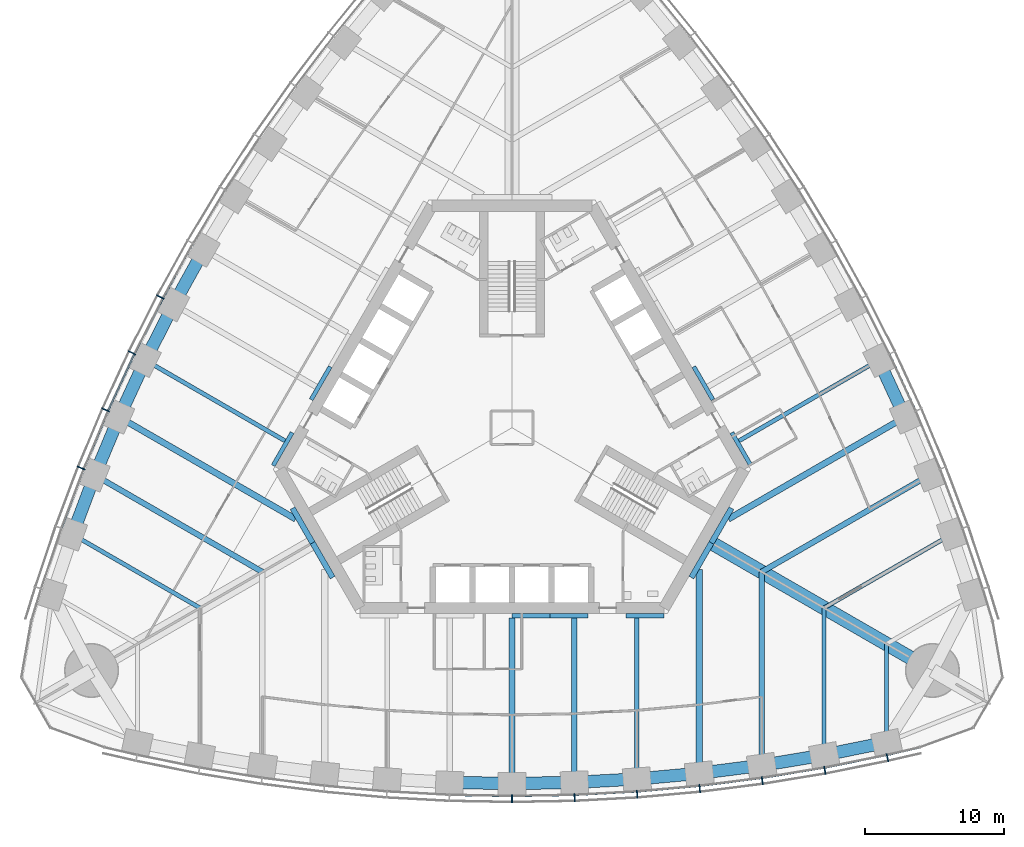
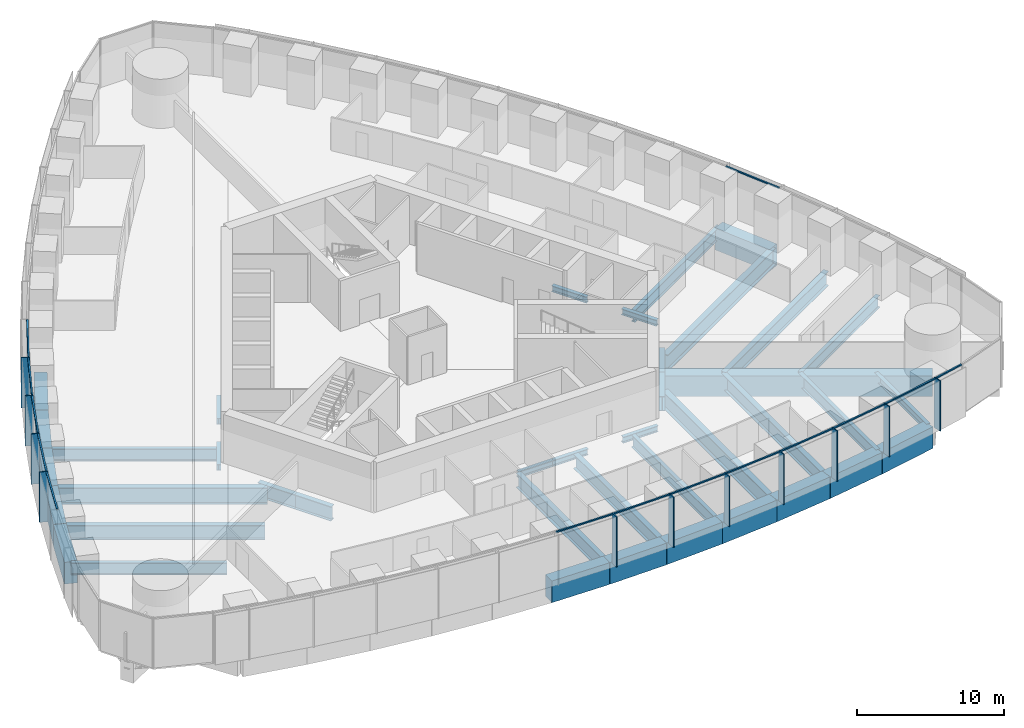
# One storey, part 3 of 18: 40 beams, 25 members, 3 elements without a shape of their own.
"""IFC4 building model written with IfcOpenShell, lengths in metres."""

from ifc_helpers import new_model, si_unit, direction, frame, origin, origin_2d, place, context, subcontext, project, spatial, rectangle, i_section, extrude, material, material_profile, profile_set, type_object, element, aggregate, save


model = new_model("IFC4")

# Units and contexts
model_context = context("Model", 3, precision=1e-05, world=origin(), true_north=direction((0.0, 1.0)))
body_context = subcontext(model_context, "Body", "Model", "MODEL_VIEW")
ifc_project = project(units=[si_unit("LENGTHUNIT", "METRE"), si_unit("AREAUNIT", "SQUARE_METRE"), si_unit("VOLUMEUNIT", "CUBIC_METRE"), si_unit("PLANEANGLEUNIT", "RADIAN"), si_unit("MASSUNIT", "GRAM", prefix="KILO")], contexts=[model_context])

# Site, building, storey
site_placement = place(None, origin())
site = spatial("IfcSite", under=ifc_project, at=site_placement, CompositionType="ELEMENT")
building_placement = place(site_placement, origin())
building = spatial("IfcBuilding", under=site, at=building_placement, Name="Trefoil Bronze Tower", CompositionType="ELEMENT")
storey_placement = place(building_placement, frame((0.0, 0.0, 170.300048828125)))
storey = spatial("IfcBuildingStorey", under=building, at=storey_placement, Name="L39", CompositionType="ELEMENT", Elevation=170.300048828125)

# Curtain wall, members
ifc_material_1 = material(Name="Tinted solar-control glass", Category="glass")
curtain_wall_type = type_object("IfcCurtainWallType", Name="Bronze office curtain wall", PredefinedType="USERDEFINED", material=ifc_material_1)
curtain_wall_1_placement = place(storey_placement, origin())
curtain_wall_1 = element("IfcCurtainWall", 1, at=curtain_wall_1_placement, inside=storey, type_object=curtain_wall_type, Name="CW-A L39 F1", ObjectType="CURTAIN WALL", PredefinedType="USERDEFINED")
ifc_material_2 = material(Name="Bronze-finish aluminium", Category="aluminium")
ifc_material_profile_1 = material_profile(ifc_material_2, rectangle(XDim=0.60009765625, YDim=0.080078125, at=origin_2d()), Name="CW-A mullion")
ifc_profile_set_1 = profile_set([ifc_material_profile_1], Name="Bronze-finish aluminium")
member_type_1 = type_object("IfcMemberType", Name="Bronze office curtain wall mullion", PredefinedType="MULLION", material=ifc_profile_set_1)
member_1_placement = place(storey_placement, frame((0.0, -26.749755859375, 0.0), z_axis=(0.0, 0.0, 1.0), x_axis=(0.0, 1.0, 0.0)))
member_1 = element("IfcMember", 2, at=member_1_placement, type_object=member_type_1, Name="CW-A L39 F1 mullion 8", PredefinedType="MULLION", context=body_context, shape_type="SweptSolid", body=[
    extrude(rectangle(XDim=0.60009765625, YDim=0.080078125, at=origin_2d()), origin(), (0.0, 0.0, 1.0), 4.179931640625),
])
member_2_placement = place(storey_placement, frame((4.5107421875, -26.66845703125, 0.0), z_axis=(0.0, 0.0, 1.0), x_axis=(-0.036047792107, 0.999350067136, 0.0)))
member_2 = element("IfcMember", 3, at=member_2_placement, type_object=member_type_1, Name="CW-A L39 F1 mullion 9", PredefinedType="MULLION", context=body_context, shape_type="SweptSolid", body=[
    extrude(rectangle(XDim=0.60009765625, YDim=0.080078125, at=origin_2d()), origin(), (0.0, 0.0, 1.0), 4.179931640625),
])
member_3_placement = place(storey_placement, frame((9.021728515625, -26.424072265625, 0.0), z_axis=(0.0, 0.0, 1.0), x_axis=(-0.072095676284, 0.997397720802, 0.0)))
member_3 = element("IfcMember", 4, at=member_3_placement, type_object=member_type_1, Name="CW-A L39 F1 mullion 10", PredefinedType="MULLION", context=body_context, shape_type="SweptSolid", body=[
    extrude(rectangle(XDim=0.60009765625, YDim=0.080078125, at=origin_2d()), origin(), (0.0, 0.0, 1.0), 4.179931640625),
])
member_4_placement = place(storey_placement, frame((13.532470703125, -26.01611328125, 0.0), z_axis=(0.0, 0.0, 1.0), x_axis=(-0.108143747013, 0.994135267447, 0.0)))
member_4 = element("IfcMember", 5, at=member_4_placement, type_object=member_type_1, Name="CW-A L39 F1 mullion 11", PredefinedType="MULLION", context=body_context, shape_type="SweptSolid", body=[
    extrude(rectangle(XDim=0.60009765625, YDim=0.080078125, at=origin_2d()), origin(), (0.0, 0.0, 1.0), 4.179931640625),
])
member_5_placement = place(storey_placement, frame((18.043212890625, -25.4423828125, 0.0), z_axis=(0.0, 0.0, 1.0), x_axis=(-0.144192103798, 0.989549714366, 0.0)))
member_5 = element("IfcMember", 6, at=member_5_placement, type_object=member_type_1, Name="CW-A L39 F1 mullion 12", PredefinedType="MULLION", context=body_context, shape_type="SweptSolid", body=[
    extrude(rectangle(XDim=0.60009765625, YDim=0.080078125, at=origin_2d()), origin(), (0.0, 0.0, 1.0), 4.179931640625),
])
member_6_placement = place(storey_placement, frame((22.553955078125, -24.700927734375, 0.0), z_axis=(0.0, 0.0, 1.0), x_axis=(-0.180240853954, 0.98362250613, 0.0)))
member_6 = element("IfcMember", 7, at=member_6_placement, type_object=member_type_1, Name="CW-A L39 F1 mullion 13", PredefinedType="MULLION", context=body_context, shape_type="SweptSolid", body=[
    extrude(rectangle(XDim=0.60009765625, YDim=0.080078125, at=origin_2d()), origin(), (0.0, 0.0, 1.0), 4.179931640625),
])
member_7_placement = place(storey_placement, frame((27.0634765625, -23.7890625, 0.0), z_axis=(0.0, 0.0, 1.0), x_axis=(-0.21197042503, 0.977276081214, 0.0)))
member_7 = element("IfcMember", 8, at=member_7_placement, type_object=member_type_1, Name="CW-A L39 F1 mullion 14", PredefinedType="MULLION", context=body_context, shape_type="SweptSolid", body=[
    extrude(rectangle(XDim=0.60009765625, YDim=0.080078125, at=origin_2d()), origin(), (0.0, 0.0, 1.0), 4.179931640625),
])

curtain_wall_2_placement = place(storey_placement, origin())
curtain_wall_2 = element("IfcCurtainWall", 9, at=curtain_wall_2_placement, inside=storey, type_object=curtain_wall_type, Name="CW-A L39 F3", ObjectType="CURTAIN WALL", PredefinedType="USERDEFINED")
member_8_placement = place(storey_placement, frame((-25.350830078125, 9.427734375, 0.0), z_axis=(0.0, 0.0, 1.0), x_axis=(0.883486441467, -0.468456729853, 0.0)))
member_8 = element("IfcMember", 10, at=member_8_placement, type_object=member_type_1, Name="CW-A L39 F3 mullion 9", PredefinedType="MULLION", context=body_context, shape_type="SweptSolid", body=[
    extrude(rectangle(XDim=0.60009765625, YDim=0.080078125, at=origin_2d()), origin(), (0.0, 0.0, 1.0), 4.179931640625),
])
member_9_placement = place(storey_placement, frame((-27.394775390625, 5.399169921875, 0.0), z_axis=(0.0, 0.0, 1.0), x_axis=(0.899819602033, -0.436262173236, 0.0)))
member_9 = element("IfcMember", 11, at=member_9_placement, type_object=member_type_1, Name="CW-A L39 F3 mullion 10", PredefinedType="MULLION", context=body_context, shape_type="SweptSolid", body=[
    extrude(rectangle(XDim=0.60009765625, YDim=0.080078125, at=origin_2d()), origin(), (0.0, 0.0, 1.0), 4.179931640625),
])
member_10_placement = place(storey_placement, frame((-29.296875, 1.28857421875, 0.0), z_axis=(0.0, 0.0, 1.0), x_axis=(0.915018269914, -0.40341240155, 0.0)))
member_10 = element("IfcMember", 12, at=member_10_placement, type_object=member_type_1, Name="CW-A L39 F3 mullion 11", PredefinedType="MULLION", context=body_context, shape_type="SweptSolid", body=[
    extrude(rectangle(XDim=0.60009765625, YDim=0.080078125, at=origin_2d()), origin(), (0.0, 0.0, 1.0), 4.179931640625),
])
member_11_placement = place(storey_placement, frame((-31.055419921875, -2.90478515625, 0.0), z_axis=(0.0, 0.0, 1.0), x_axis=(0.929071242848, -0.369900832269, 0.0)))
member_11 = element("IfcMember", 13, at=member_11_placement, type_object=member_type_1, Name="CW-A L39 F3 mullion 12", PredefinedType="MULLION", context=body_context, shape_type="SweptSolid", body=[
    extrude(rectangle(XDim=0.60009765625, YDim=0.080078125, at=origin_2d()), origin(), (0.0, 0.0, 1.0), 4.179931640625),
])

# Member
ifc_material_3 = material(Name="Bronze-finish aluminium", Category="aluminium")
ifc_material_profile_2 = material_profile(ifc_material_3, rectangle(XDim=0.1201171875, YDim=0.10009765625, at=origin_2d()), Name="CW-A transom")
ifc_profile_set_2 = profile_set([ifc_material_profile_2], Name="Bronze-finish aluminium")
member_type_2 = type_object("IfcMemberType", Name="Bronze office curtain wall transom", PredefinedType="USERDEFINED", material=ifc_profile_set_2)
member_12_placement = place(storey_placement, frame((-4.4619140625, -26.46923828125, 4.1298828125), z_axis=(0.999837930028, -0.018003157426, 0.0), x_axis=(0.018003157426, 0.999837930028, 0.0)))
member_12 = element("IfcMember", 14, at=member_12_placement, type_object=member_type_2, Name="CW-A L39 F1 transom 7", ObjectType="TRANSOM", PredefinedType="USERDEFINED", context=body_context, shape_type="SweptSolid", body=[
    extrude(rectangle(XDim=0.1201171875, YDim=0.10009765625, at=origin_2d()), origin(), (0.0, 0.0, 1.0), 4.4208984375),
])

member_13_placement = place(storey_placement, frame((0.041748046875, -26.548828125, 4.1298828125), z_axis=(0.999837930028, 0.018003157426, 0.0), x_axis=(-0.018003157426, 0.999837930028, 0.0)))
member_13 = element("IfcMember", 15, at=member_13_placement, type_object=member_type_2, Name="CW-A L39 F1 transom 8", ObjectType="TRANSOM", PredefinedType="USERDEFINED", context=body_context, shape_type="SweptSolid", body=[
    extrude(rectangle(XDim=0.1201171875, YDim=0.10009765625, at=origin_2d()), origin(), (0.0, 0.0, 1.0), 4.4208984375),
])

member_14_placement = place(storey_placement, frame((4.54541015625, -26.46630859375, 4.1298828125), z_axis=(0.998538253569, 0.054049571306, 0.0), x_axis=(-0.054049571306, 0.998538253569, 0.0)))
member_14 = element("IfcMember", 16, at=member_14_placement, type_object=member_type_2, Name="CW-A L39 F1 transom 9", ObjectType="TRANSOM", PredefinedType="USERDEFINED", context=body_context, shape_type="SweptSolid", body=[
    extrude(rectangle(XDim=0.1201171875, YDim=0.10009765625, at=origin_2d()), origin(), (0.0, 0.0, 1.0), 4.4267578125),
])

member_15_placement = place(storey_placement, frame((9.048828125, -26.220947265625, 4.1298828125), z_axis=(0.995932787062, 0.090099298863, 0.0), x_axis=(-0.090099298863, 0.995932787062, 0.0)))
member_15 = element("IfcMember", 17, at=member_15_placement, type_object=member_type_2, Name="CW-A L39 F1 transom 10", ObjectType="TRANSOM", PredefinedType="USERDEFINED", context=body_context, shape_type="SweptSolid", body=[
    extrude(rectangle(XDim=0.1201171875, YDim=0.10009765625, at=origin_2d()), origin(), (0.0, 0.0, 1.0), 4.4384765625),
])

member_16_placement = place(storey_placement, frame((13.55224609375, -25.81201171875, 4.1298828125), z_axis=(0.992008387848, 0.12617193998, 0.0), x_axis=(-0.12617193998, 0.992008387848, 0.0)))
member_16 = element("IfcMember", 18, at=member_16_placement, type_object=member_type_2, Name="CW-A L39 F1 transom 11", ObjectType="TRANSOM", PredefinedType="USERDEFINED", context=body_context, shape_type="SweptSolid", body=[
    extrude(rectangle(XDim=0.1201171875, YDim=0.10009765625, at=origin_2d()), origin(), (0.0, 0.0, 1.0), 4.456298828125),
])

member_17_placement = place(storey_placement, frame((18.0556640625, -25.23779296875, 4.1298828125), z_axis=(0.986755265284, 0.162216048636, 0.0), x_axis=(-0.162216048636, 0.986755265284, 0.0)))
member_17 = element("IfcMember", 19, at=member_17_placement, type_object=member_type_2, Name="CW-A L39 F1 transom 12", ObjectType="TRANSOM", PredefinedType="USERDEFINED", context=body_context, shape_type="SweptSolid", body=[
    extrude(rectangle(XDim=0.1201171875, YDim=0.10009765625, at=origin_2d()), origin(), (0.0, 0.0, 1.0), 4.48046875),
])

member_18_placement = place(storey_placement, frame((22.55908203125, -24.49609375, 4.1298828125), z_axis=(0.980153749225, 0.198238815273, 0.0), x_axis=(-0.198238815273, 0.980153749225, 0.0)))
member_18 = element("IfcMember", 20, at=member_18_placement, type_object=member_type_2, Name="CW-A L39 F1 transom 13", ObjectType="TRANSOM", PredefinedType="USERDEFINED", context=body_context, shape_type="SweptSolid", body=[
    extrude(rectangle(XDim=0.1201171875, YDim=0.10009765625, at=origin_2d()), origin(), (0.0, 0.0, 1.0), 4.51123046875),
])

member_19_placement = place(storey_placement, frame((27.0615234375, -23.584228515625, 4.1298828125), z_axis=(0.974206243495, 0.225659467196, 0.0), x_axis=(-0.225659467196, 0.974206243495, 0.0)))
member_19 = element("IfcMember", 21, at=member_19_placement, type_object=member_type_2, Name="CW-A L39 F1 transom 14", ObjectType="TRANSOM", PredefinedType="USERDEFINED", context=body_context, shape_type="SweptSolid", body=[
    extrude(rectangle(XDim=0.1201171875, YDim=0.10009765625, at=origin_2d()), origin(), (0.0, 0.0, 1.0), 2.340087890625),
])

aggregate(curtain_wall_1, [member_1, member_2, member_3, member_4, member_5, member_6, member_7, member_12, member_13, member_14, member_15, member_16, member_17, member_18, member_19])

# Curtain wall, member
curtain_wall_3_placement = place(storey_placement, origin())
curtain_wall_3 = element("IfcCurtainWall", 22, at=curtain_wall_3_placement, inside=storey, type_object=curtain_wall_type, Name="CW-A L39 F2", ObjectType="CURTAIN WALL", PredefinedType="USERDEFINED")
member_20_placement = place(storey_placement, frame((29.09619140625, 1.245849609375, 4.1298828125), z_axis=(-0.419923072198, 0.907559702409, 0.0), x_axis=(-0.907559702409, -0.419923072198, 0.0)))
member_20 = element("IfcMember", 23, at=member_20_placement, type_object=member_type_2, Name="CW-A L39 F2 transom 5", ObjectType="TRANSOM", PredefinedType="USERDEFINED", context=body_context, shape_type="SweptSolid", body=[
    extrude(rectangle(XDim=0.1201171875, YDim=0.10009765625, at=origin_2d()), origin(), (0.0, 0.0, 1.0), 4.4384765625),
])
aggregate(curtain_wall_3, [member_20])

# Member
member_21_placement = place(storey_placement, frame((-23.012939453125, 13.23828125, 4.1298828125), z_axis=(-0.484329470343, -0.874885686337, 0.0), x_axis=(0.874885686337, -0.484329470343, 0.0)))
member_21 = element("IfcMember", 24, at=member_21_placement, type_object=member_type_2, Name="CW-A L39 F3 transom 8", ObjectType="TRANSOM", PredefinedType="USERDEFINED", context=body_context, shape_type="SweptSolid", body=[
    extrude(rectangle(XDim=0.1201171875, YDim=0.10009765625, at=origin_2d()), origin(), (0.0, 0.0, 1.0), 4.4208984375),
])

member_22_placement = place(storey_placement, frame((-25.193115234375, 9.296630859375, 4.1298828125), z_axis=(-0.452478489814, -0.891775317138, 0.0), x_axis=(0.891775317138, -0.452478489814, 0.0)))
member_22 = element("IfcMember", 25, at=member_22_placement, type_object=member_type_2, Name="CW-A L39 F3 transom 9", ObjectType="TRANSOM", PredefinedType="USERDEFINED", context=body_context, shape_type="SweptSolid", body=[
    extrude(rectangle(XDim=0.1201171875, YDim=0.10009765625, at=origin_2d()), origin(), (0.0, 0.0, 1.0), 4.426513671875),
])

member_23_placement = place(storey_placement, frame((-27.232421875, 5.27392578125, 4.1298828125), z_axis=(-0.419923072198, -0.907559702409, 0.0), x_axis=(0.907559702409, -0.419923072198, 0.0)))
member_23 = element("IfcMember", 26, at=member_23_placement, type_object=member_type_2, Name="CW-A L39 F3 transom 10", ObjectType="TRANSOM", PredefinedType="USERDEFINED", context=body_context, shape_type="SweptSolid", body=[
    extrude(rectangle(XDim=0.1201171875, YDim=0.10009765625, at=origin_2d()), origin(), (0.0, 0.0, 1.0), 4.4384765625),
])

member_24_placement = place(storey_placement, frame((-29.1298828125, 1.16943359375, 4.1298828125), z_axis=(-0.386773266184, -0.922174842731, 0.0), x_axis=(0.922174842731, -0.386773266184, 0.0)))
member_24 = element("IfcMember", 27, at=member_24_placement, type_object=member_type_2, Name="CW-A L39 F3 transom 11", ObjectType="TRANSOM", PredefinedType="USERDEFINED", context=body_context, shape_type="SweptSolid", body=[
    extrude(rectangle(XDim=0.1201171875, YDim=0.10009765625, at=origin_2d()), origin(), (0.0, 0.0, 1.0), 4.45654296875),
])

member_25_placement = place(storey_placement, frame((-30.88427734375, -3.017822265625, 4.1298828125), z_axis=(-0.352932154759, -0.935648916067, 0.0), x_axis=(0.935648916067, -0.352932154759, 0.0)))
member_25 = element("IfcMember", 28, at=member_25_placement, type_object=member_type_2, Name="CW-A L39 F3 transom 12", ObjectType="TRANSOM", PredefinedType="USERDEFINED", context=body_context, shape_type="SweptSolid", body=[
    extrude(rectangle(XDim=0.1201171875, YDim=0.10009765625, at=origin_2d()), origin(), (0.0, 0.0, 1.0), 4.48046875),
])

aggregate(curtain_wall_2, [member_8, member_9, member_10, member_11, member_21, member_22, member_23, member_24, member_25])

# Beams
ifc_material_4 = material(Name="Steel C355", Category="steel")
ifc_material_profile_3 = material_profile(ifc_material_4, i_section(OverallWidth=0.300048828125, OverallDepth=0.5, WebThickness=0.014404296875, FlangeThickness=0.028076171875, FilletRadius=0.027099609375, at=origin_2d()), Name="HEB 500")
ifc_profile_set_3 = profile_set([ifc_material_profile_3], Name="Steel C355")
beam_type_1 = type_object("IfcBeamType", Name="Core seat beam HEB 500", PredefinedType="BEAM", material=ifc_profile_set_3)
for number, where, z_axis, x_axis, name in (
    (29, (0.0, -13.550048828125, -0.449951171875), (1.0, 0.0, 0.0), (0.0, 1.0, 0.0), "Core seat beam F1/+0 L39"),
    (30, (2.742431640625, -13.550048828125, -0.449951171875), (1.0, 0.0, 0.0), (0.0, 1.0, 0.0), "Core seat beam F1/+1 L39"),
    (31, (8.227294921875, -13.550048828125, -0.449951171875), (1.0, 0.0, 0.0), (0.0, 1.0, 0.0), "Core seat beam F1/+2 L39"),
    (32, (17.219482421875, -2.72509765625, -0.449951171875), (-0.500035825175, 0.866004719122, 0.0), (-0.866004719122, -0.500035825175, 0.0), "Core seat beam F2/-2 L39"),
    (33, (14.47705078125, 2.02490234375, -0.449951171875), (-0.499969057507, 0.866043267704, 0.0), (-0.866043267704, -0.499969057507, 0.0), "Core seat beam F2/-1 L39"),
    (34, (-13.10595703125, 4.39990234375, -0.449951171875), (-0.499969057507, -0.866043267704, 0.0), (0.866043267704, -0.499969057507, 0.0), "Core seat beam F3/+1 L39"),
    (35, (-15.84814453125, -0.35009765625, -0.449951171875), (-0.500035825175, -0.866004719122, 0.0), (0.866004719122, -0.500035825175, 0.0), "Core seat beam F3/+2 L39"),
):
    element("IfcBeam", number, at=place(storey_placement, frame(where, z_axis=z_axis, x_axis=x_axis)), inside=storey, type_object=beam_type_1, Name=name, PredefinedType="BEAM", context=body_context, shape_type="SweptSolid", body=[
        extrude(i_section(OverallWidth=0.300048828125, OverallDepth=0.5, WebThickness=0.014404296875, FlangeThickness=0.028076171875, FilletRadius=0.027099609375, at=origin_2d()), origin(), (0.0, 0.0, 1.0), 2.742431640625),
    ])
ifc_material_5 = material(Name="Steel C355", Category="steel")
ifc_material_profile_4 = material_profile(ifc_material_5, i_section(OverallWidth=0.39990234375, OverallDepth=1.199951171875, WebThickness=0.02001953125, FlangeThickness=0.0400390625, FilletRadius=0.010009765625, at=origin_2d()), Name="WPG 1200")
ifc_profile_set_4 = profile_set([ifc_material_profile_4], Name="Steel C355")
beam_type_2 = type_object("IfcBeamType", Name="Core seat beam WPG 1200", PredefinedType="BEAM", material=ifc_profile_set_4)
for number, where, z_axis, x_axis, name in (
    (36, (-14.3759765625, -8.300048828125, -0.800048828125), (0.499995765644, -0.866027848477, 0.0), (0.866027848477, 0.499995765644, 0.0), "Core seat beam F1/-3 L39"),
    (37, (12.9326171875, -10.800048828125, -0.800048828125), (0.499995765644, 0.866027848477, 0.0), (-0.866027848477, 0.499995765644, 0.0), "Core seat beam F1/+3 L39"),
    (38, (14.3759765625, -8.300048828125, -0.800048828125), (0.499995765644, 0.866027848477, 0.0), (-0.866027848477, 0.499995765644, 0.0), "Core seat beam F2/-3 L39"),
    (39, (-15.8193359375, -5.800048828125, -0.800048828125), (0.499995765644, -0.866027848477, 0.0), (0.866027848477, 0.499995765644, 0.0), "Core seat beam F3/+3 L39"),
):
    element("IfcBeam", number, at=place(storey_placement, frame(where, z_axis=z_axis, x_axis=x_axis)), inside=storey, type_object=beam_type_2, Name=name, PredefinedType="BEAM", context=body_context, shape_type="SweptSolid", body=[
        extrude(i_section(OverallWidth=0.39990234375, OverallDepth=1.199951171875, WebThickness=0.02001953125, FlangeThickness=0.0400390625, FilletRadius=0.010009765625, at=origin_2d()), origin(), (0.0, 0.0, 1.0), 2.88671875),
    ])
ifc_material_6 = material(Name="Concrete B80", Category="concrete")
ifc_material_profile_5 = material_profile(ifc_material_6, rectangle(XDim=1.0, YDim=1.699951171875, at=origin_2d()), Name="RC 1000x1700")
ifc_profile_set_5 = profile_set([ifc_material_profile_5], Name="Concrete B80")
beam_type_3 = type_object("IfcBeamType", Name="Corner girder RC 1000x1700", PredefinedType="BEAM", material=ifc_profile_set_5)
beam_1_placement = place(storey_placement, frame((14.202880859375, -8.199951171875, -1.050048828125), z_axis=(0.866022084834, -0.500005748546, 0.0), x_axis=(0.500005748546, 0.866022084834, 0.0)))
element("IfcBeam", 40, at=beam_1_placement, inside=storey, type_object=beam_type_3, Name="Corner girder K1 L39", PredefinedType="BEAM", context=body_context, shape_type="SweptSolid", body=[
    extrude(rectangle(XDim=1.0, YDim=1.699951171875, at=origin_2d()), origin(), (0.0, 0.0, 1.0), 18.599853515625),
])
ifc_material_7 = material(Name="Steel C355", Category="steel")
ifc_material_profile_6 = material_profile(ifc_material_7, i_section(OverallWidth=0.300048828125, OverallDepth=1.0, WebThickness=0.01904296875, FlangeThickness=0.035888671875, FilletRadius=0.030029296875, at=origin_2d()), Name="HEB 1000")
ifc_profile_set_6 = profile_set([ifc_material_profile_6], Name="Steel C355")
beam_type_4 = type_object("IfcBeamType", Name="Floor beam HEB 1000", PredefinedType="BEAM", material=ifc_profile_set_6)
beam_2_placement = place(storey_placement, frame((22.5, -23.592529296875, -0.699951171875), z_axis=(0.0, 1.0, 0.0), x_axis=(-1.0, 0.0, 0.0)))
element("IfcBeam", 41, at=beam_2_placement, inside=storey, type_object=beam_type_4, Name="Floor beam F1/+5 L39", PredefinedType="BEAM", context=body_context, shape_type="SweptSolid", body=[
    extrude(i_section(OverallWidth=0.300048828125, OverallDepth=1.0, WebThickness=0.01904296875, FlangeThickness=0.035888671875, FilletRadius=0.030029296875, at=origin_2d()), origin(), (0.0, 0.0, 1.0), 10.60205078125),
])
for number, where, z_axis, x_axis, name in (
    (42, (31.681884765625, -7.689208984375, -0.699951171875), (-0.866021079084, -0.500007490527, 0.0), (0.500007490527, -0.866021079084, 0.0), "Floor beam F2/-5 L39"),
    (43, (-31.681884765625, -7.689208984375, -0.699951171875), (0.866021079084, -0.500007490527, 0.0), (0.500007490527, 0.866021079084, 0.0), "Floor beam F3/+5 L39"),
):
    element("IfcBeam", number, at=place(storey_placement, frame(where, z_axis=z_axis, x_axis=x_axis)), inside=storey, type_object=beam_type_4, Name=name, PredefinedType="BEAM", context=body_context, shape_type="SweptSolid", body=[
        extrude(i_section(OverallWidth=0.300048828125, OverallDepth=1.0, WebThickness=0.01904296875, FlangeThickness=0.035888671875, FilletRadius=0.030029296875, at=origin_2d()), origin(), (0.0, 0.0, 1.0), 10.602294921875),
    ])
ifc_material_8 = material(Name="Steel C355", Category="steel")
ifc_material_profile_7 = material_profile(ifc_material_8, i_section(OverallWidth=0.300048828125, OverallDepth=0.60009765625, WebThickness=0.015380859375, FlangeThickness=0.030029296875, FilletRadius=0.027099609375, at=origin_2d()), Name="HEB 600")
ifc_profile_set_7 = profile_set([ifc_material_profile_7], Name="Steel C355")
beam_type_5 = type_object("IfcBeamType", Name="Floor beam HEB 600", PredefinedType="BEAM", material=ifc_profile_set_7)
beam_3_placement = place(storey_placement, frame((27.0, -22.67724609375, -0.5), z_axis=(0.0, 1.0, 0.0), x_axis=(-1.0, 0.0, 0.0)))
element("IfcBeam", 44, at=beam_3_placement, inside=storey, type_object=beam_type_5, Name="Floor beam F1/+6 L39", PredefinedType="BEAM", context=body_context, shape_type="SweptSolid", body=[
    extrude(i_section(OverallWidth=0.300048828125, OverallDepth=0.60009765625, WebThickness=0.015380859375, FlangeThickness=0.030029296875, FilletRadius=0.027099609375, at=origin_2d()), origin(), (0.0, 0.0, 1.0), 7.0888671875),
])
ifc_material_9 = material(Name="Steel C355", Category="steel")
ifc_material_profile_8 = material_profile(ifc_material_9, i_section(OverallWidth=0.302001953125, OverallDepth=1.008056640625, WebThickness=0.02099609375, FlangeThickness=0.0400390625, FilletRadius=0.030029296875, at=origin_2d()), Name="HEM 1000")
ifc_profile_set_8 = profile_set([ifc_material_profile_8], Name="Steel C355")
beam_type_6 = type_object("IfcBeamType", Name="Floor beam HEM 1000", PredefinedType="BEAM", material=ifc_profile_set_8)
for number, where, z_axis, x_axis, name in (
    (45, (9.0, -25.32275390625, -0.7041015625), (0.0, 1.0, 0.0), (-1.0, 0.0, 0.0), "Floor beam F1/+2 L39"),
    (46, (26.43017578125, 4.8671875, -0.7041015625), (-0.866021531335, -0.500006707218, 0.0), (0.500006707218, -0.866021531335, 0.0), "Floor beam F2/-2 L39"),
    (47, (-26.43017578125, 4.8671875, -0.7041015625), (0.866021531335, -0.500006707218, 0.0), (0.500006707218, 0.866021531335, 0.0), "Floor beam F3/+2 L39"),
):
    element("IfcBeam", number, at=place(storey_placement, frame(where, z_axis=z_axis, x_axis=x_axis)), inside=storey, type_object=beam_type_6, Name=name, PredefinedType="BEAM", context=body_context, shape_type="SweptSolid", body=[
        extrude(i_section(OverallWidth=0.302001953125, OverallDepth=1.008056640625, WebThickness=0.02099609375, FlangeThickness=0.0400390625, FilletRadius=0.030029296875, at=origin_2d()), origin(), (0.0, 0.0, 1.0), 11.622802734375),
    ])
ifc_material_10 = material(Name="Steel C355", Category="steel")
ifc_material_profile_9 = material_profile(ifc_material_10, i_section(OverallWidth=0.39990234375, OverallDepth=1.199951171875, WebThickness=0.02001953125, FlangeThickness=0.0400390625, FilletRadius=0.010009765625, at=origin_2d()), Name="WPG 1200")
ifc_profile_set_9 = profile_set([ifc_material_profile_9], Name="Steel C355")
beam_type_7 = type_object("IfcBeamType", Name="Floor beam WPG 1200", PredefinedType="BEAM", material=ifc_profile_set_9)
beam_4_placement = place(storey_placement, frame((0.0, -25.649658203125, -0.800048828125), z_axis=(0.0, 1.0, 0.0), x_axis=(-1.0, 0.0, 0.0)))
element("IfcBeam", 48, at=beam_4_placement, inside=storey, type_object=beam_type_7, Name="Floor beam F1/+0 L39", PredefinedType="BEAM", context=body_context, shape_type="SweptSolid", body=[
    extrude(i_section(OverallWidth=0.39990234375, OverallDepth=1.199951171875, WebThickness=0.02001953125, FlangeThickness=0.0400390625, FilletRadius=0.010009765625, at=origin_2d()), origin(), (0.0, 0.0, 1.0), 11.94970703125),
])
beam_5_placement = place(storey_placement, frame((4.5, -25.568115234375, -0.800048828125), z_axis=(0.0, 1.0, 0.0), x_axis=(-1.0, 0.0, 0.0)))
element("IfcBeam", 49, at=beam_5_placement, inside=storey, type_object=beam_type_7, Name="Floor beam F1/+1 L39", PredefinedType="BEAM", context=body_context, shape_type="SweptSolid", body=[
    extrude(i_section(OverallWidth=0.39990234375, OverallDepth=1.199951171875, WebThickness=0.02001953125, FlangeThickness=0.0400390625, FilletRadius=0.010009765625, at=origin_2d()), origin(), (0.0, 0.0, 1.0), 11.8681640625),
])
for number, where, z_axis, x_axis, name in (
    (50, (18.0, -24.337158203125, -0.800048828125), (0.0, 1.0, 0.0), (-1.0, 0.0, 0.0), "Floor beam F1/+4 L39"),
    (51, (30.07666015625, -3.419921875, -0.800048828125), (-0.866026983775, -0.499997263366, 0.0), (0.499997263366, -0.866026983775, 0.0), "Floor beam F2/-4 L39"),
    (52, (-30.07666015625, -3.419921875, -0.800048828125), (0.866026983775, -0.499997263366, 0.0), (0.499997263366, 0.866026983775, 0.0), "Floor beam F3/+4 L39"),
):
    element("IfcBeam", number, at=place(storey_placement, frame(where, z_axis=z_axis, x_axis=x_axis)), inside=storey, type_object=beam_type_7, Name=name, PredefinedType="BEAM", context=body_context, shape_type="SweptSolid", body=[
        extrude(i_section(OverallWidth=0.39990234375, OverallDepth=1.199951171875, WebThickness=0.02001953125, FlangeThickness=0.0400390625, FilletRadius=0.010009765625, at=origin_2d()), origin(), (0.0, 0.0, 1.0), 13.94482421875),
    ])
ifc_material_11 = material(Name="Steel C355", Category="steel")
ifc_material_profile_10 = material_profile(ifc_material_11, i_section(OverallWidth=0.449951171875, OverallDepth=1.39990234375, WebThickness=0.02294921875, FlangeThickness=0.044921875, FilletRadius=0.011962890625, at=origin_2d()), Name="WPG 1400")
ifc_profile_set_10 = profile_set([ifc_material_profile_10], Name="Steel C355")
beam_type_8 = type_object("IfcBeamType", Name="Floor beam WPG 1400", PredefinedType="BEAM", material=ifc_profile_set_10)
for number, where, z_axis, x_axis, name in (
    (53, (13.5, -24.9130859375, -0.900146484375), (0.0, 1.0, 0.0), (-1.0, 0.0, 0.0), "Floor beam F1/+3 L39"),
    (54, (28.325439453125, 0.76513671875, -0.900146484375), (-0.866027342682, -0.499996641717, 0.0), (0.499996641717, -0.866027342682, 0.0), "Floor beam F2/-3 L39"),
    (55, (-28.325439453125, 0.76513671875, -0.900146484375), (0.866027342682, -0.499996641717, 0.0), (0.499996641717, 0.866027342682, 0.0), "Floor beam F3/+3 L39"),
):
    element("IfcBeam", number, at=place(storey_placement, frame(where, z_axis=z_axis, x_axis=x_axis)), inside=storey, type_object=beam_type_8, Name=name, PredefinedType="BEAM", context=body_context, shape_type="SweptSolid", body=[
        extrude(i_section(OverallWidth=0.449951171875, OverallDepth=1.39990234375, WebThickness=0.02294921875, FlangeThickness=0.044921875, FilletRadius=0.011962890625, at=origin_2d()), origin(), (0.0, 0.0, 1.0), 14.69580078125),
    ])
ifc_material_12 = material(Name="Concrete B80", Category="concrete")
ifc_material_profile_11 = material_profile(ifc_material_12, rectangle(XDim=0.89990234375, YDim=1.800048828125, at=origin_2d()), Name="RC 900x1800")
ifc_profile_set_11 = profile_set([ifc_material_profile_11], Name="Concrete B80")
beam_type_9 = type_object("IfcBeamType", Name="Spandrel beam RC 900x1800", PredefinedType="SPANDREL", material=ifc_profile_set_11)
for number, where, z_axis, x_axis, name in (
    (56, (-4.5, -25.568115234375, -1.10009765625), (0.999835861267, -0.01811768542, 0.0), (0.01811768542, 0.999835861267, 0.0), "Spandrel F1.7 L39"),
    (57, (0.0, -25.649658203125, -1.10009765625), (0.999835861267, 0.01811768542, 0.0), (-0.01811768542, 0.999835861267, 0.0), "Spandrel F1.8 L39"),
):
    element("IfcBeam", number, at=place(storey_placement, frame(where, z_axis=z_axis, x_axis=x_axis)), inside=storey, type_object=beam_type_9, Name=name, PredefinedType="SPANDREL", context=body_context, shape_type="SweptSolid", body=[
        extrude(rectangle(XDim=0.89990234375, YDim=1.800048828125, at=origin_2d()), origin(), (0.0, 0.0, 1.0), 4.500732421875),
    ])
beam_6_placement = place(storey_placement, frame((4.5, -25.568115234375, -1.10009765625), z_axis=(0.998516832602, 0.054443870267, 0.0), x_axis=(-0.054443870267, 0.998516832602, 0.0)))
element("IfcBeam", 58, at=beam_6_placement, inside=storey, type_object=beam_type_9, Name="Spandrel F1.9 L39", PredefinedType="SPANDREL", context=body_context, shape_type="SweptSolid", body=[
    extrude(rectangle(XDim=0.89990234375, YDim=1.800048828125, at=origin_2d()), origin(), (0.0, 0.0, 1.0), 4.506591796875),
])
beam_7_placement = place(storey_placement, frame((9.0, -25.32275390625, -1.10009765625), z_axis=(0.995881683815, 0.090662405894, 0.0), x_axis=(-0.090662405894, 0.995881683815, 0.0)))
element("IfcBeam", 59, at=beam_7_placement, inside=storey, type_object=beam_type_9, Name="Spandrel F1.10 L39", PredefinedType="SPANDREL", context=body_context, shape_type="SweptSolid", body=[
    extrude(rectangle(XDim=0.89990234375, YDim=1.800048828125, at=origin_2d()), origin(), (0.0, 0.0, 1.0), 4.5185546875),
])
beam_8_placement = place(storey_placement, frame((13.5, -24.9130859375, -1.10009765625), z_axis=(0.991909314257, 0.126948463126, 0.0), x_axis=(-0.126948463126, 0.991909314257, 0.0)))
element("IfcBeam", 60, at=beam_8_placement, inside=storey, type_object=beam_type_9, Name="Spandrel F1.11 L39", PredefinedType="SPANDREL", context=body_context, shape_type="SweptSolid", body=[
    extrude(rectangle(XDim=0.89990234375, YDim=1.800048828125, at=origin_2d()), origin(), (0.0, 0.0, 1.0), 4.53662109375),
])
beam_9_placement = place(storey_placement, frame((18.0, -24.337158203125, -1.10009765625), z_axis=(0.986584214684, 0.163253138823, 0.0), x_axis=(-0.163253138823, 0.986584214684, 0.0)))
element("IfcBeam", 61, at=beam_9_placement, inside=storey, type_object=beam_type_9, Name="Spandrel F1.12 L39", PredefinedType="SPANDREL", context=body_context, shape_type="SweptSolid", body=[
    extrude(rectangle(XDim=0.89990234375, YDim=1.800048828125, at=origin_2d()), origin(), (0.0, 0.0, 1.0), 4.561279296875),
])
beam_10_placement = place(storey_placement, frame((22.5, -23.592529296875, -1.10009765625), z_axis=(0.979935430296, 0.199315208777, 0.0), x_axis=(-0.199315208777, 0.979935430296, 0.0)))
element("IfcBeam", 62, at=beam_10_placement, inside=storey, type_object=beam_type_9, Name="Spandrel F1.13 L39", PredefinedType="SPANDREL", context=body_context, shape_type="SweptSolid", body=[
    extrude(rectangle(XDim=0.89990234375, YDim=1.800048828125, at=origin_2d()), origin(), (0.0, 0.0, 1.0), 4.592041015625),
])
beam_11_placement = place(storey_placement, frame((28.325439453125, 0.76513671875, -1.10009765625), z_axis=(-0.419424747755, 0.907790108434, 0.0), x_axis=(-0.907790108434, -0.419424747755, 0.0)))
element("IfcBeam", 63, at=beam_11_placement, inside=storey, type_object=beam_type_9, Name="Spandrel F2.5 L39", PredefinedType="SPANDREL", context=body_context, shape_type="SweptSolid", body=[
    extrude(rectangle(XDim=0.89990234375, YDim=1.800048828125, at=origin_2d()), origin(), (0.0, 0.0, 1.0), 4.518798828125),
])
beam_12_placement = place(storey_placement, frame((-22.21337890625, 12.824951171875, -1.10009765625), z_axis=(-0.484186866546, -0.874964615436, 0.0), x_axis=(0.874964615436, -0.484186866546, 0.0)))
element("IfcBeam", 64, at=beam_12_placement, inside=storey, type_object=beam_type_9, Name="Spandrel F3.8 L39", PredefinedType="SPANDREL", context=body_context, shape_type="SweptSolid", body=[
    extrude(rectangle(XDim=0.89990234375, YDim=1.800048828125, at=origin_2d()), origin(), (0.0, 0.0, 1.0), 4.500732421875),
])
beam_13_placement = place(storey_placement, frame((-24.392578125, 8.886962890625, -1.10009765625), z_axis=(-0.452125717735, -0.891954222683, 0.0), x_axis=(0.891954222683, -0.452125717735, 0.0)))
element("IfcBeam", 65, at=beam_13_placement, inside=storey, type_object=beam_type_9, Name="Spandrel F3.9 L39", PredefinedType="SPANDREL", context=body_context, shape_type="SweptSolid", body=[
    extrude(rectangle(XDim=0.89990234375, YDim=1.800048828125, at=origin_2d()), origin(), (0.0, 0.0, 1.0), 4.506591796875),
])
beam_14_placement = place(storey_placement, frame((-26.43017578125, 4.8671875, -1.10009765625), z_axis=(-0.419424747755, -0.907790108434, 0.0), x_axis=(0.907790108434, -0.419424747755, 0.0)))
element("IfcBeam", 66, at=beam_14_placement, inside=storey, type_object=beam_type_9, Name="Spandrel F3.10 L39", PredefinedType="SPANDREL", context=body_context, shape_type="SweptSolid", body=[
    extrude(rectangle(XDim=0.89990234375, YDim=1.800048828125, at=origin_2d()), origin(), (0.0, 0.0, 1.0), 4.518798828125),
])
beam_15_placement = place(storey_placement, frame((-28.325439453125, 0.76513671875, -1.10009765625), z_axis=(-0.386013490858, -0.922493135408, 0.0), x_axis=(0.922493135408, -0.386013490858, 0.0)))
element("IfcBeam", 67, at=beam_15_placement, inside=storey, type_object=beam_type_9, Name="Spandrel F3.11 L39", PredefinedType="SPANDREL", context=body_context, shape_type="SweptSolid", body=[
    extrude(rectangle(XDim=0.89990234375, YDim=1.800048828125, at=origin_2d()), origin(), (0.0, 0.0, 1.0), 4.53662109375),
])
beam_16_placement = place(storey_placement, frame((-30.07666015625, -3.419921875, -1.10009765625), z_axis=(-0.351938675523, -0.936023059904, 0.0), x_axis=(0.936023059904, -0.351938675523, 0.0)))
element("IfcBeam", 68, at=beam_16_placement, inside=storey, type_object=beam_type_9, Name="Spandrel F3.12 L39", PredefinedType="SPANDREL", context=body_context, shape_type="SweptSolid", body=[
    extrude(rectangle(XDim=0.89990234375, YDim=1.800048828125, at=origin_2d()), origin(), (0.0, 0.0, 1.0), 4.56103515625),
])

save(model, "model.ifc")
